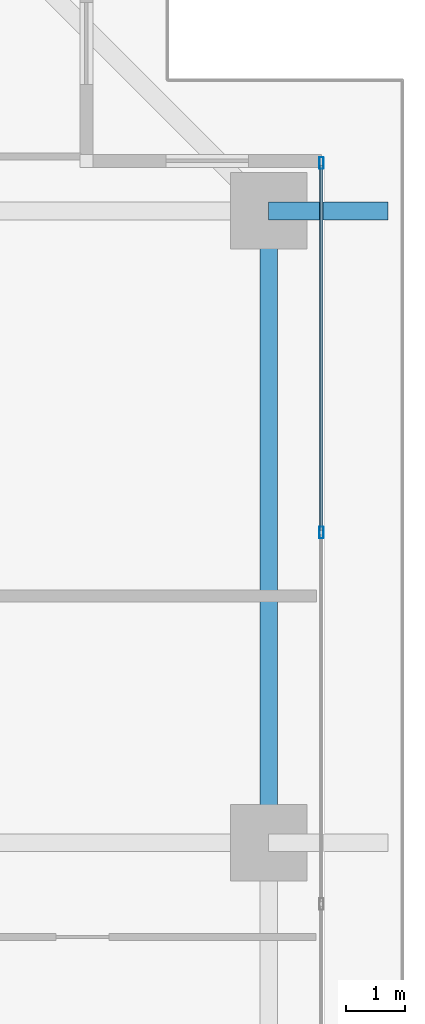
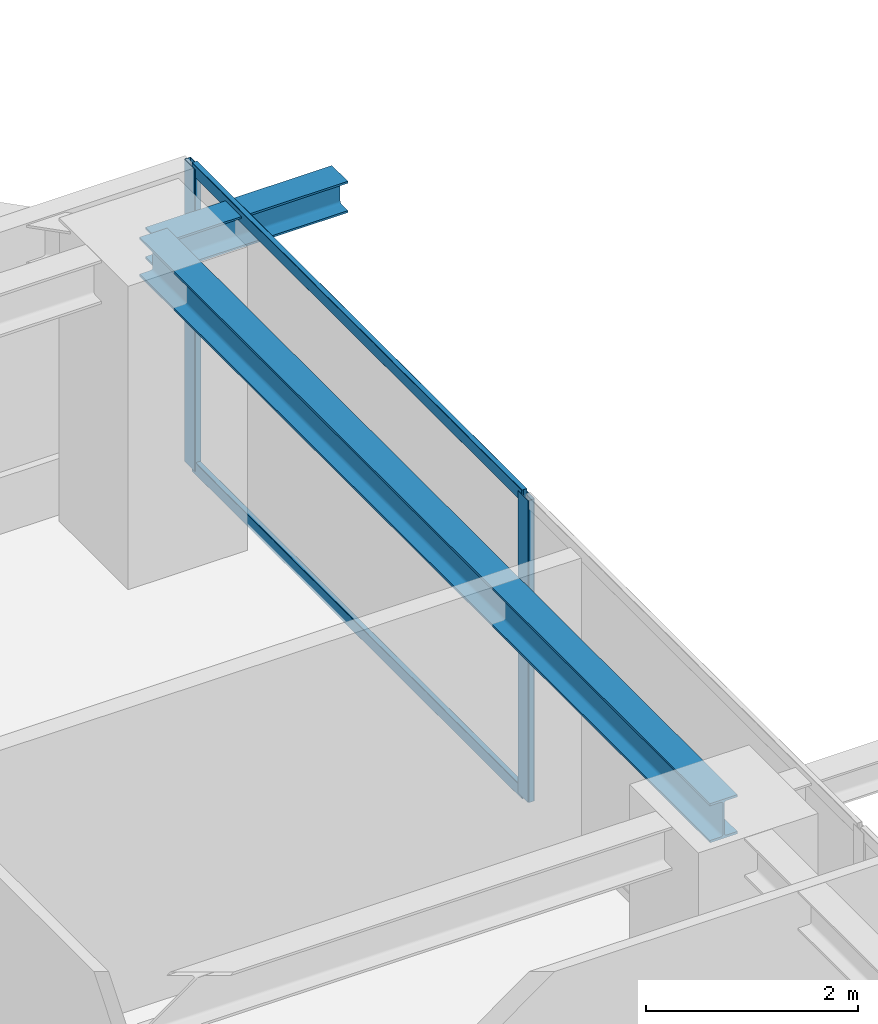
# One storey, part 25 of 38: 4 members, 2 beams, 1 element without a shape of its own.
"""IFC4 building model written with IfcOpenShell, lengths in metres."""

from ifc_helpers import new_model, si_unit, direction, frame, origin, origin_2d, place, context, subcontext, project, spatial, hollow_rectangle, i_section, extrude, source, transform, mapped, material, layer, layer_set, material_profile, profile_set, type_object, element, aggregate, save


model = new_model("IFC4")

# Units and contexts
model_context = context("Model", 3, precision=1e-05, world=origin(), true_north=direction((0.0, 1.0)))
body_context = subcontext(model_context, "Body", "Model", "MODEL_VIEW")
ifc_project = project(units=[si_unit("LENGTHUNIT", "METRE"), si_unit("AREAUNIT", "SQUARE_METRE"), si_unit("VOLUMEUNIT", "CUBIC_METRE"), si_unit("PLANEANGLEUNIT", "RADIAN"), si_unit("MASSUNIT", "GRAM", prefix="KILO")], contexts=[model_context])

# Site, building, storey
site_placement = place(None, origin())
site = spatial("IfcSite", under=ifc_project, at=site_placement, CompositionType="ELEMENT")
building_placement = place(site_placement, origin())
building = spatial("IfcBuilding", under=site, at=building_placement, Name="Serunith Strait Residences", CompositionType="ELEMENT")
storey_placement = place(building_placement, frame((0.0, 0.0, 120.14990234375)))
storey = spatial("IfcBuildingStorey", under=building, at=storey_placement, Name="L29", CompositionType="ELEMENT", Elevation=120.14990234375)

# Beams
ifc_material_1 = material(Name="Steel S355J2", Category="steel")
ifc_material_profile_1 = material_profile(ifc_material_1, i_section(OverallWidth=0.300048828125, OverallDepth=0.449951171875, WebThickness=0.013916015625, FlangeThickness=0.02587890625, FilletRadius=0.027099609375, at=origin_2d()), Name="HEB 450")
ifc_profile_set_1 = profile_set([ifc_material_profile_1], Name="Steel S355J2")
beam_type_1 = type_object("IfcBeamType", Name="BM-HEB450", PredefinedType="BEAM", material=ifc_profile_set_1)
shared_shape_1 = source(origin(), body_context, "Body", "SweptSolid", [
    extrude(i_section(OverallWidth=0.300048828125, OverallDepth=0.449951171875, WebThickness=0.013916015625, FlangeThickness=0.02587890625, FilletRadius=0.027099609375, at=origin_2d()), origin(), (0.0, 0.0, 1.0), 10.75),
])
beam_1_placement = place(storey_placement, frame((56.10009765625, 29.39990234375, 3.26220703125), z_axis=(0.0, 1.0, 0.0), x_axis=(-1.0, 0.0, 0.0)))
element("IfcBeam", 1, at=beam_1_placement, inside=storey, type_object=beam_type_1, Name="L29 Perimeter Ring Beam 07", PredefinedType="BEAM", context=body_context, shape_type="MappedRepresentation", body=[
    mapped(shared_shape_1, transform((0.0, 0.0, 0.0), scale=1.0)),
])
ifc_material_profile_2 = material_profile(ifc_material_1, i_section(OverallWidth=0.300048828125, OverallDepth=0.360107421875, WebThickness=0.012451171875, FlangeThickness=0.0224609375, FilletRadius=0.027099609375, at=origin_2d()), Name="HEB 360")
ifc_profile_set_2 = profile_set([ifc_material_profile_2], Name="Steel S355J2")
beam_type_2 = type_object("IfcBeamType", Name="BM-HEB360", PredefinedType="BEAM", material=ifc_profile_set_2)
shared_shape_2 = source(origin(), body_context, "Body", "SweptSolid", [
    extrude(i_section(OverallWidth=0.300048828125, OverallDepth=0.360107421875, WebThickness=0.012451171875, FlangeThickness=0.0224609375, FilletRadius=0.027099609375, at=origin_2d()), origin(), (0.0, 0.0, 1.0), 2.02978515625),
])
beam_2_placement = place(storey_placement, frame((56.10009765625, 40.14990234375, 3.277099609375), z_axis=(1.0, 0.0, 0.0), x_axis=(0.0, 1.0, 0.0)))
element("IfcBeam", 2, at=beam_2_placement, inside=storey, type_object=beam_type_2, Name="L30 Cantilevered Balcony Rib TC-E4", PredefinedType="BEAM", context=body_context, shape_type="MappedRepresentation", body=[
    mapped(shared_shape_2, transform((0.0, 0.0, 0.0), scale=1.0)),
])

# Curtain wall, members
ifc_material_2 = material(Name="Pale-Champagne Anodised Aluminium", Category="aluminium")
ifc_layer = layer(ifc_material_2, 0.199951171875, Name="Pale-Champagne Anodised Aluminium")
ifc_layer_set = layer_set([ifc_layer], Name="Pale-Champagne Anodised Aluminium")
curtain_wall_type = type_object("IfcCurtainWallType", Name="CW-SYS2", PredefinedType="NOTDEFINED", material=ifc_layer_set)
curtain_wall_placement = place(storey_placement, origin())
curtain_wall = element("IfcCurtainWall", 3, at=curtain_wall_placement, inside=storey, type_object=curtain_wall_type, Name="L29 E Unitised Fritted Curtain Wall", PredefinedType="NOTDEFINED")
ifc_material_profile_3 = material_profile(ifc_material_2, hollow_rectangle(XDim=0.070068359375, YDim=0.199951171875, WallThickness=0.00390625, InnerFilletRadius=0.006103515625, OuterFilletRadius=0.010009765625, at=origin_2d()), Name="ALU 200x70x4")
ifc_profile_set_3 = profile_set([ifc_material_profile_3], Name="Pale-Champagne Anodised Aluminium")
member_type_1 = type_object("IfcMemberType", Name="CW-SYS2-MULL", PredefinedType="MULLION", material=ifc_profile_set_3)
shared_shape_3 = source(origin(), body_context, "Body", "SweptSolid", [
    extrude(hollow_rectangle(XDim=0.070068359375, YDim=0.199951171875, WallThickness=0.00390625, InnerFilletRadius=0.006103515625, OuterFilletRadius=0.010009765625, at=origin_2d()), origin(), (0.0, 0.0, 1.0), 3.47509765625),
])
member_1_placement = place(storey_placement, frame((57.0, 34.679931640625, 0.0), z_axis=(0.0, 0.0, 1.0), x_axis=(-1.0, 0.0, 0.0)))
member_1 = element("IfcMember", 4, at=member_1_placement, type_object=member_type_1, Name="CW-2 mullion 5", PredefinedType="MULLION", context=body_context, shape_type="MappedRepresentation", body=[
    mapped(shared_shape_3, transform((0.0, 0.0, 0.0), scale=1.0)),
])
member_2_placement = place(storey_placement, frame((57.0, 40.965087890625, 0.0), z_axis=(0.0, 0.0, 1.0), x_axis=(-1.0, 0.0, 0.0)))
member_2 = element("IfcMember", 5, at=member_2_placement, type_object=member_type_1, Name="CW-2 mullion 6", PredefinedType="MULLION", context=body_context, shape_type="MappedRepresentation", body=[
    mapped(shared_shape_3, transform((0.0, 0.0, 0.0), scale=1.0)),
])
ifc_material_profile_4 = material_profile(ifc_material_2, hollow_rectangle(XDim=0.06005859375, YDim=0.139892578125, WallThickness=0.00341796875, InnerFilletRadius=0.00537109375, OuterFilletRadius=0.0087890625, at=origin_2d()), Name="ALU 140x60x3.5")
ifc_profile_set_4 = profile_set([ifc_material_profile_4], Name="Pale-Champagne Anodised Aluminium")
member_type_2 = type_object("IfcMemberType", Name="CW-SYS2-TRAN", PredefinedType="USERDEFINED", material=ifc_profile_set_4)
shared_shape_4 = source(origin(), body_context, "Body", "SweptSolid", [
    extrude(hollow_rectangle(XDim=0.06005859375, YDim=0.139892578125, WallThickness=0.00341796875, InnerFilletRadius=0.00537109375, OuterFilletRadius=0.0087890625, at=origin_2d()), origin(), (0.0, 0.0, 1.0), 6.21484375),
])
member_3_placement = place(storey_placement, frame((57.0, 34.715087890625, 0.030029296875), z_axis=(0.0, 1.0, 0.0), x_axis=(-1.0, 0.0, 0.0)))
member_3 = element("IfcMember", 6, at=member_3_placement, type_object=member_type_2, Name="CW-2 transom 5.1", ObjectType="TRANSOM", PredefinedType="USERDEFINED", context=body_context, shape_type="MappedRepresentation", body=[
    mapped(shared_shape_4, transform((0.0, 0.0, 0.0), scale=1.0)),
])
member_4_placement = place(storey_placement, frame((57.0, 34.715087890625, 3.445068359375), z_axis=(0.0, 1.0, 0.0), x_axis=(-1.0, 0.0, 0.0)))
member_4 = element("IfcMember", 7, at=member_4_placement, type_object=member_type_2, Name="CW-2 transom 5.2", ObjectType="TRANSOM", PredefinedType="USERDEFINED", context=body_context, shape_type="MappedRepresentation", body=[
    mapped(shared_shape_4, transform((0.0, 0.0, 0.0), scale=1.0)),
])
aggregate(curtain_wall, [member_1, member_2, member_3, member_4])

save(model, "model.ifc")
